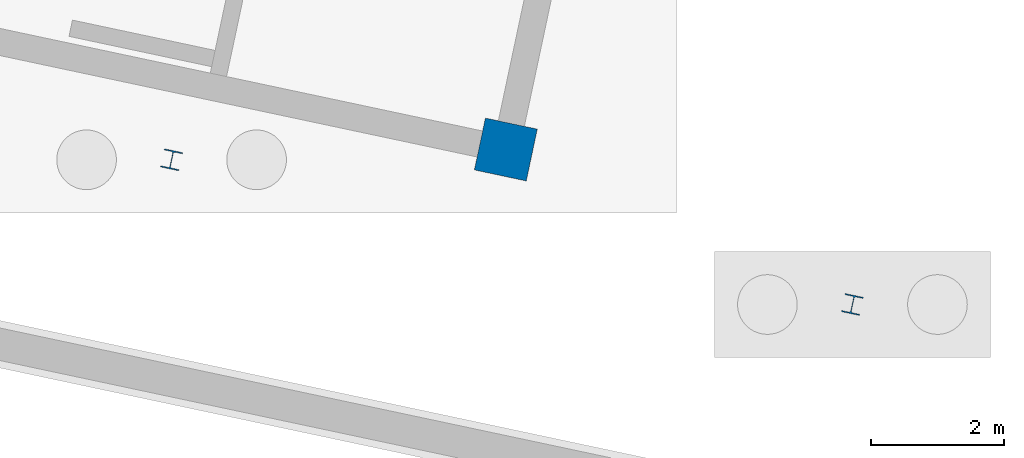
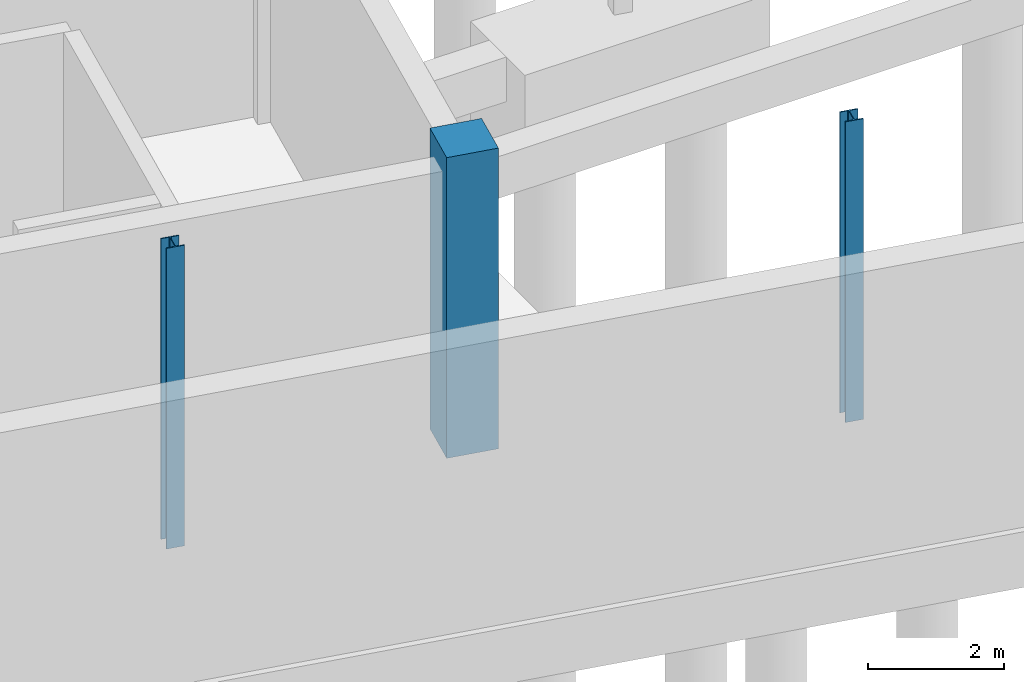
# One storey, part 19 of 65: 3 columns.
"""IFC4 building model written with IfcOpenShell, lengths in metres."""

import ifcopenshell
import ifcopenshell.guid

model = None  # the IFC model being written
_history = None  # IfcOwnerHistory: only IFC2X3 demands one
_inside = {}  # id of a spatial element -> (the spatial element, [elements in it])
_under = {}  # id of a project, library or spatial element -> (it, [spatial elements below it])
_declared = {}  # id of a project -> (the project, [libraries it declares])
_typed = {}  # id of a type object -> (the type object, [elements of that type])
_made_of = {}  # id of a material, layer set ... -> (it, [elements and type objects made of it])


def new_model(schema):
    """Start an empty IFC model of exactly this schema.

    Asked for "IFC4X3", IfcOpenShell would pick the latest addendum, in which some entities
    have other attributes; the version numbers below select the first issue.
    IFC2X3 requires an IfcOwnerHistory on every rooted entity: one is made here for all.
    """
    global model, _history
    if schema == "IFC4X3":
        model = ifcopenshell.file(schema_version=(4, 3, 0, 0))
    else:
        model = ifcopenshell.file(schema=schema)
    _inside.clear()
    _under.clear()
    _declared.clear()
    _typed.clear()
    _made_of.clear()
    _history = None
    if model.schema == "IFC2X3":
        org = make("IfcOrganization", Name="unknown")
        user = make(
            "IfcPersonAndOrganization",
            ThePerson=make("IfcPerson", FamilyName="unknown"),
            TheOrganization=org,
        )
        app = make(
            "IfcApplication",
            ApplicationDeveloper=org,
            Version="unknown",
            ApplicationFullName="unknown",
            ApplicationIdentifier="unknown",
        )
        _history = make(
            "IfcOwnerHistory",
            OwningUser=user,
            OwningApplication=app,
            ChangeAction="ADDED",
            CreationDate=0,
        )
    return model


def make(cls, **values):
    """One entity of the class cls with the attributes given. An attribute that is None is left unset."""
    return model.create_entity(
        cls, **{name: value for name, value in values.items() if value is not None}
    )


def rooted(cls, **values):
    """An entity with a GlobalId (a new one), such as an element, a storey or a relation."""
    return make(cls, GlobalId=ifcopenshell.guid.new(), OwnerHistory=_history, **values)


def si_unit(unit_type, name, prefix=None):
    """IfcSIUnit, for example si_unit("LENGTHUNIT", "METRE", prefix="MILLI")."""
    return make("IfcSIUnit", UnitType=unit_type, Prefix=prefix, Name=name)


def assignment(units):
    """IfcUnitAssignment: the units of a project."""
    return None if units is None else make("IfcUnitAssignment", Units=units)


def point(xyz):
    """IfcCartesianPoint."""
    return None if xyz is None else make("IfcCartesianPoint", Coordinates=xyz)


def direction(xyz):
    """IfcDirection."""
    return None if xyz is None else make("IfcDirection", DirectionRatios=xyz)


def frame(location, z_axis=None, x_axis=None):
    """IfcAxis2Placement3D, a coordinate frame: its origin and axes. An axis left out is left unset."""
    return make(
        "IfcAxis2Placement3D",
        Location=point(location),
        Axis=direction(z_axis),
        RefDirection=direction(x_axis),
    )


def frame_2d(location, x_axis=None):
    """IfcAxis2Placement2D, a coordinate frame in the plane: its origin and x axis."""
    return make(
        "IfcAxis2Placement2D", Location=point(location), RefDirection=direction(x_axis)
    )


def origin():
    """The frame at (0, 0, 0) with its axes left unset."""
    return frame((0.0, 0.0, 0.0))


def origin_2d():
    """The frame at (0, 0) in the plane with its x axis left unset."""
    return frame_2d((0.0, 0.0))


def place(relative_to, where):
    """IfcLocalPlacement: puts the frame where relative to a parent placement (None: the world)."""
    return make(
        "IfcLocalPlacement", PlacementRelTo=relative_to, RelativePlacement=where
    )


def context(
    kind, dimensions, precision=None, world=None, true_north=None, identifier=None
):
    """IfcGeometricRepresentationContext, for example the 3D "Model" context."""
    return make(
        "IfcGeometricRepresentationContext",
        ContextIdentifier=identifier,
        ContextType=kind,
        CoordinateSpaceDimension=dimensions,
        Precision=precision,
        WorldCoordinateSystem=world,
        TrueNorth=true_north,
    )


def subcontext(parent, identifier, kind, view, scale=None):
    """IfcGeometricRepresentationSubContext, for example "Body" below "Model"."""
    return make(
        "IfcGeometricRepresentationSubContext",
        ContextIdentifier=identifier,
        ContextType=kind,
        ParentContext=parent,
        TargetScale=scale,
        TargetView=view,
    )


def project(units=None, contexts=None):
    """IfcProject with its units and contexts."""
    return rooted(
        "IfcProject",
        Name="project",
        RepresentationContexts=contexts,
        UnitsInContext=assignment(units),
    )


def spatial(cls, under=None, at=None, **own):
    """A site, building, storey or space (cls), placed at a placement, below another one or the project."""
    s = rooted(cls, ObjectPlacement=at, **own)
    if under is not None:
        _under.setdefault(under.id(), (under, []))[1].append(s)
    return s


def profile(cls, at=None, kind="AREA", **sizes):
    """A parametric profile (cls). Its sizes go by their IFC names, for example OverallWidth=200.0."""
    return make(cls, ProfileType=kind, Position=at, **sizes)


def rectangle(**sizes):
    """IfcRectangleProfileDef."""
    return profile("IfcRectangleProfileDef", **sizes)


def i_section(**sizes):
    """IfcIShapeProfileDef."""
    return profile("IfcIShapeProfileDef", **sizes)


def extrude(swept, where, along, depth):
    """IfcExtrudedAreaSolid: the profile swept, set in the frame where, extruded along a direction by depth."""
    return make(
        "IfcExtrudedAreaSolid",
        SweptArea=swept,
        Position=where,
        ExtrudedDirection=direction(along),
        Depth=depth,
    )


def shape(context_of_items, identifier, shape_type, items):
    """IfcShapeRepresentation: the items that make up one representation, for example the "Body"."""
    return make(
        "IfcShapeRepresentation",
        ContextOfItems=context_of_items,
        RepresentationIdentifier=identifier,
        RepresentationType=shape_type,
        Items=items,
    )


def material(Name=None, Category=None):
    """IfcMaterial."""
    return make("IfcMaterial", Name=Name, Category=Category)


def material_profile(
    of_material, cross_section, Name=None, Category=None, Priority=None
):
    """IfcMaterialProfile: a cross section and its material."""
    return make(
        "IfcMaterialProfile",
        Name=Name,
        Material=of_material,
        Profile=cross_section,
        Priority=Priority,
        Category=Category,
    )


def profile_set(profiles, Name=None, composite=None):
    """IfcMaterialProfileSet."""
    return make(
        "IfcMaterialProfileSet",
        Name=Name,
        MaterialProfiles=profiles,
        CompositeProfile=composite,
    )


def made_of(thing, what):
    """Note that an element or type object is made of a material, layer set ...; save() writes the relation."""
    if what is not None:
        _made_of.setdefault(what.id(), (what, []))[1].append(thing)
    return thing


def type_object(cls, material=None, **own):
    """A type object (cls), such as IfcWallType, which elements share."""
    return made_of(rooted(cls, **own), material)


def element(
    cls,
    number,
    at=None,
    inside=None,
    cuts=None,
    type_object=None,
    material=None,
    context=None,
    identifier="Body",
    shape_type=None,
    held_by="IfcProductDefinitionShape",
    body=None,
    shapes=None,
    **own,
):
    """One element of the class cls, such as IfcWall. Its Tag is "e" and its number.

    at: its placement. inside: the storey or other place that contains it. cuts: it is an
    opening in that element (IfcRelVoidsElement). A single representation is given by context,
    identifier, shape_type and body (its items); several are given by shapes. held_by: the class
    of the entity that holds the representations. save() writes the other relations.
    """
    e = rooted(cls, Tag="e%d" % number, ObjectPlacement=at, **own)
    if body is not None:
        shapes = [shape(context, identifier, shape_type, body)]
    if shapes is not None:
        e.Representation = make(held_by, Representations=shapes)
    if inside is not None:
        _inside.setdefault(inside.id(), (inside, []))[1].append(e)
    if cuts is not None:
        rooted(
            "IfcRelVoidsElement", RelatingBuildingElement=cuts, RelatedOpeningElement=e
        )
    if type_object is not None:
        _typed.setdefault(type_object.id(), (type_object, []))[1].append(e)
    return made_of(e, material)


def aggregate(whole, parts):
    """IfcRelAggregates: a whole, such as a stair, and the parts it consists of."""
    return rooted("IfcRelAggregates", RelatingObject=whole, RelatedObjects=parts)


def save(model, path):
    """Write the relations noted so far, then the file.

    IfcRelAggregates (storeys below a building ...), IfcRelContainedInSpatialStructure (elements
    in a storey), IfcRelDefinesByType, IfcRelAssociatesMaterial and IfcRelDeclares: one each for
    every whole, place, type object, material and project.
    """
    for whole, parts in _under.values():
        aggregate(whole, parts)
    for where, things in _inside.values():
        rooted(
            "IfcRelContainedInSpatialStructure",
            RelatedElements=things,
            RelatingStructure=where,
        )
    for kind, things in _typed.values():
        rooted("IfcRelDefinesByType", RelatedObjects=things, RelatingType=kind)
    for what, things in _made_of.values():
        rooted("IfcRelAssociatesMaterial", RelatedObjects=things, RelatingMaterial=what)
    for by, libraries in _declared.values():
        rooted("IfcRelDeclares", RelatingContext=by, RelatedDefinitions=libraries)
    model.write(path)


model = new_model("IFC4")

# Units and contexts
model_context = context("Model", 3, precision=1e-05, world=origin(), true_north=direction((0.0, 1.0)))
body_context = subcontext(model_context, "Body", "Model", "MODEL_VIEW")
ifc_project = project(units=[si_unit("LENGTHUNIT", "METRE"), si_unit("AREAUNIT", "SQUARE_METRE"), si_unit("VOLUMEUNIT", "CUBIC_METRE"), si_unit("PLANEANGLEUNIT", "RADIAN"), si_unit("MASSUNIT", "GRAM", prefix="KILO")], contexts=[model_context])

# Site, building, storey
site_placement = place(None, origin())
site = spatial("IfcSite", under=ifc_project, at=site_placement, CompositionType="ELEMENT")
building_placement = place(site_placement, origin())
building = spatial("IfcBuilding", under=site, at=building_placement, Name="Khorjan Park Terminus", CompositionType="ELEMENT")
storey_placement = place(building_placement, frame((0.0, 0.0, -5.4)))
storey = spatial("IfcBuildingStorey", under=building, at=storey_placement, Name="B1", CompositionType="ELEMENT", Elevation=-5.4)

# Columns
ifc_material_1 = material(Name="Steel S355", Category="steel")
ifc_material_profile_1 = material_profile(ifc_material_1, i_section(OverallWidth=0.28, OverallDepth=0.28, WebThickness=0.0105, FlangeThickness=0.018, FilletRadius=0.024, at=origin_2d()), Name="HEB 280")
ifc_profile_set_1 = profile_set([ifc_material_profile_1], Name="Steel S355")
column_type_1 = type_object("IfcColumnType", Name="COL-HB280E", PredefinedType="COLUMN", material=ifc_profile_set_1)
for number, where, z_axis, x_axis, name in (
    (1, (4.271, 39.817, 0.0), (0.0, 0.0, 1.0), (0.978147600734, -0.207911690818, 0.0), "Structural column SC-H28 (B1 #610)"),
    (2, (14.541, 37.634, 0.0), (0.0, 0.0, 1.0), (0.978147600734, -0.207911690818, 0.0), "Structural column SC-H28 (B1 #624)"),
):
    element("IfcColumn", number, at=place(storey_placement, frame(where, z_axis=z_axis, x_axis=x_axis)), inside=storey, type_object=column_type_1, Name=name, PredefinedType="COLUMN", context=body_context, shape_type="SweptSolid", body=[
        extrude(i_section(OverallWidth=0.28, OverallDepth=0.28, WebThickness=0.0105, FlangeThickness=0.018, FilletRadius=0.024, at=origin_2d()), origin(), (0.0, 0.0, 1.0), 5.4),
    ])
ifc_material_2 = material(Name="Concrete C40/50", Category="concrete")
ifc_material_profile_2 = material_profile(ifc_material_2, rectangle(XDim=0.8, YDim=0.8, at=origin_2d()), Name="RC 800x800")
ifc_profile_set_2 = profile_set([ifc_material_profile_2], Name="Concrete C40/50")
column_type_2 = type_object("IfcColumnType", Name="COL-RC800", PredefinedType="COLUMN", material=ifc_profile_set_2)
column_placement = place(storey_placement, frame((9.313, 39.972, 0.0), z_axis=(0.0, 0.0, 1.0), x_axis=(0.978147600734, -0.207911690818, 0.0)))
element("IfcColumn", 3, at=column_placement, inside=storey, type_object=column_type_2, Name="Structural column C-RC08 (B1 #1062)", PredefinedType="COLUMN", context=body_context, shape_type="SweptSolid", body=[
    extrude(rectangle(XDim=0.8, YDim=0.8, at=origin_2d()), origin(), (0.0, 0.0, 1.0), 5.4),
])

save(model, "model.ifc")
